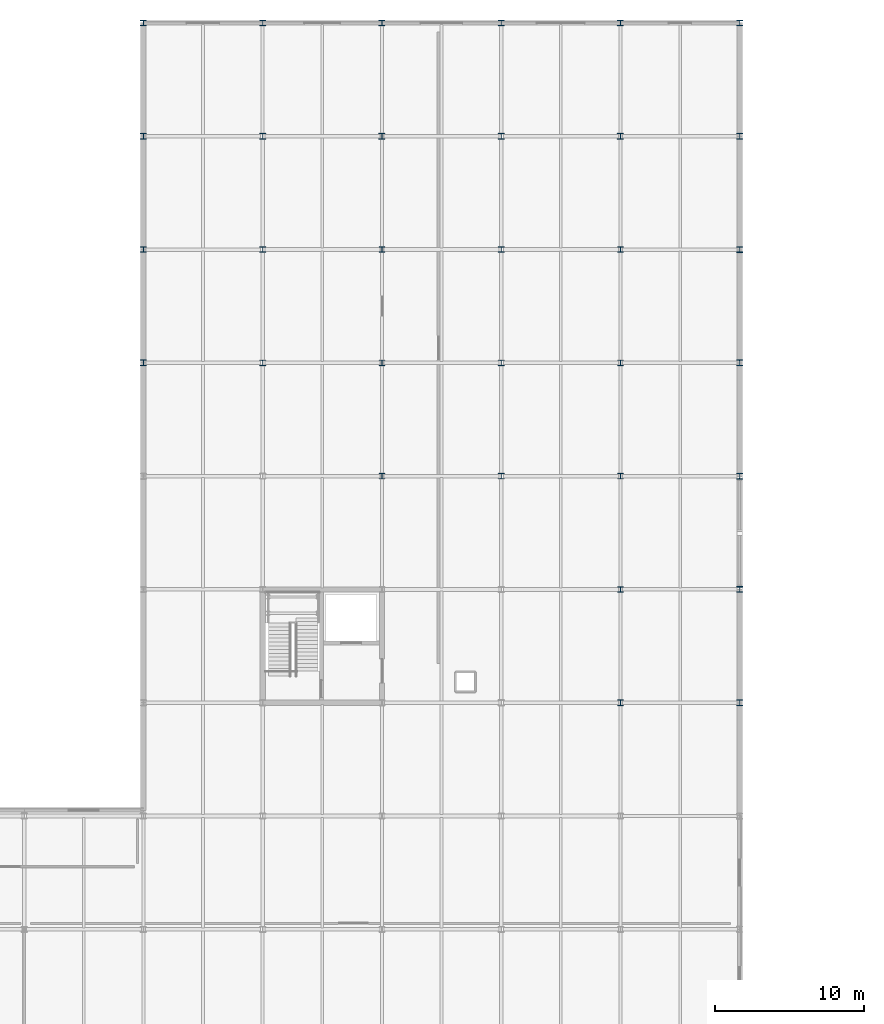
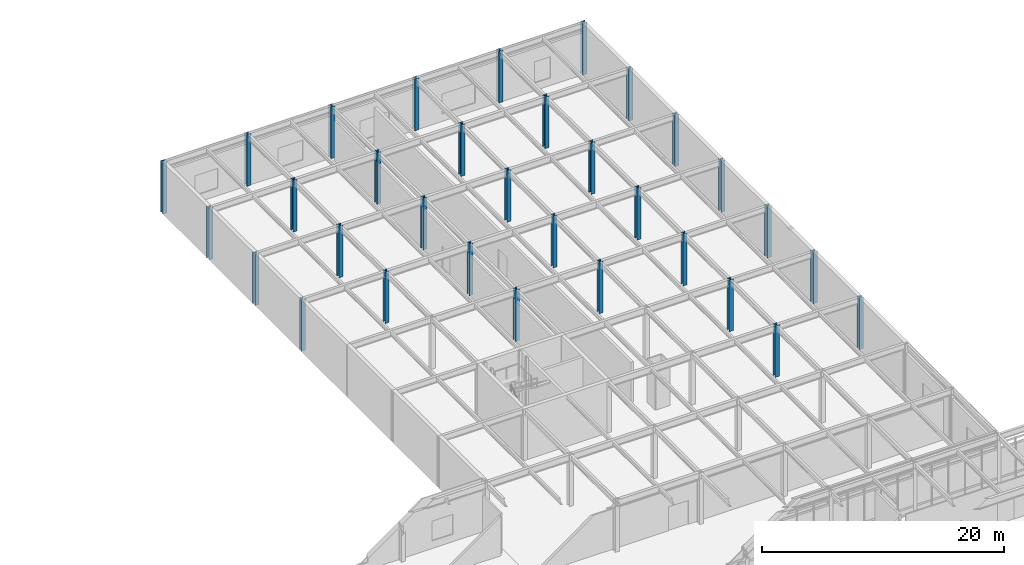
# One storey, part 16 of 94: 32 columns.
"""IFC4 building model written with IfcOpenShell, lengths in metres."""

from ifc_helpers import new_model, si_unit, direction, frame, origin, origin_2d, place, context, subcontext, project, spatial, i_section, extrude, material, material_profile, profile_set, type_object, element, save


model = new_model("IFC4")

# Units and contexts
model_context = context("Model", 3, precision=1e-05, world=origin(), true_north=direction((0.0, 1.0)))
body_context = subcontext(model_context, "Body", "Model", "MODEL_VIEW")
ifc_project = project(units=[si_unit("LENGTHUNIT", "METRE"), si_unit("AREAUNIT", "SQUARE_METRE"), si_unit("VOLUMEUNIT", "CUBIC_METRE"), si_unit("PLANEANGLEUNIT", "RADIAN"), si_unit("MASSUNIT", "GRAM", prefix="KILO")], contexts=[model_context])

# Site, building, storey
site_placement = place(None, origin())
site = spatial("IfcSite", under=ifc_project, at=site_placement, CompositionType="ELEMENT")
building_placement = place(site_placement, origin())
building = spatial("IfcBuilding", under=site, at=building_placement, Name="Zulena Civic Courthouse", CompositionType="ELEMENT")
storey_placement = place(building_placement, frame((0.0, 0.0, 5.39990234375)))
storey = spatial("IfcBuildingStorey", under=building, at=storey_placement, Name="L01", CompositionType="ELEMENT", Elevation=5.39990234375)

# Columns
ifc_material = material(Name="Steel ASTM A992 Grade 50", Category="steel")
ifc_material_profile_1 = material_profile(ifc_material, i_section(OverallWidth=0.39404296875, OverallDepth=0.3759765625, WebThickness=0.017333984375, FlangeThickness=0.027587890625, FilletRadius=0.01513671875, at=origin_2d()), Name="W14X145")
ifc_profile_set_1 = profile_set([ifc_material_profile_1], Name="Steel ASTM A992 Grade 50")
column_type_1 = type_object("IfcColumnType", Name="Col_W14X145", PredefinedType="COLUMN", material=ifc_profile_set_1)
for number, where, z_axis, x_axis, name in (
    (1, (76.0, 91.199951171875, 0.0), (0.0, 0.0, 1.0), (1.0, 0.0, 0.0), "col:V5:L01:76.0:91.2"),
    (2, (76.0, 98.800048828125, 0.0), (0.0, 0.0, 1.0), (1.0, 0.0, 0.0), "col:V5:L01:76.0:98.8"),
    (3, (84.0, 83.60009765625, 0.0), (0.0, 0.0, 1.0), (1.0, 0.0, 0.0), "col:V5:L01:84.0:83.6"),
    (4, (84.0, 91.199951171875, 0.0), (0.0, 0.0, 1.0), (1.0, 0.0, 0.0), "col:V5:L01:84.0:91.2"),
    (5, (84.0, 98.800048828125, 0.0), (0.0, 0.0, 1.0), (1.0, 0.0, 0.0), "col:V5:L01:84.0:98.8"),
    (6, (92.0, 83.60009765625, 0.0), (0.0, 0.0, 1.0), (1.0, 0.0, 0.0), "col:V5:L01:92.0:83.6"),
    (7, (92.0, 91.199951171875, 0.0), (0.0, 0.0, 1.0), (1.0, 0.0, 0.0), "col:V5:L01:92.0:91.2"),
    (8, (92.0, 98.800048828125, 0.0), (0.0, 0.0, 1.0), (1.0, 0.0, 0.0), "col:V5:L01:92.0:98.8"),
    (9, (100.0, 68.39990234375, 0.0), (0.0, 0.0, 1.0), (1.0, 0.0, 0.0), "col:V5:L01:100.0:68.4"),
    (10, (100.0, 76.0, 0.0), (0.0, 0.0, 1.0), (1.0, 0.0, 0.0), "col:V5:L01:100.0:76.0"),
    (11, (100.0, 83.60009765625, 0.0), (0.0, 0.0, 1.0), (1.0, 0.0, 0.0), "col:V5:L01:100.0:83.6"),
    (12, (100.0, 91.199951171875, 0.0), (0.0, 0.0, 1.0), (1.0, 0.0, 0.0), "col:V5:L01:100.0:91.2"),
    (13, (100.0, 98.800048828125, 0.0), (0.0, 0.0, 1.0), (1.0, 0.0, 0.0), "col:V5:L01:100.0:98.8"),
):
    element("IfcColumn", number, at=place(storey_placement, frame(where, z_axis=z_axis, x_axis=x_axis)), inside=storey, type_object=column_type_1, Name=name, PredefinedType="COLUMN", context=body_context, shape_type="SweptSolid", body=[
        extrude(i_section(OverallWidth=0.39404296875, OverallDepth=0.3759765625, WebThickness=0.017333984375, FlangeThickness=0.027587890625, FilletRadius=0.01513671875, at=origin_2d()), origin(), (0.0, 0.0, 1.0), 5.18505859375),
    ])
ifc_material_profile_2 = material_profile(ifc_material, i_section(OverallWidth=0.39892578125, OverallDepth=0.386962890625, WebThickness=0.02099609375, FlangeThickness=0.033203125, FilletRadius=0.01513671875, at=origin_2d()), Name="W14X176")
ifc_profile_set_2 = profile_set([ifc_material_profile_2], Name="Steel ASTM A992 Grade 50")
column_type_2 = type_object("IfcColumnType", Name="Col_W14X176", PredefinedType="COLUMN", material=ifc_profile_set_2)
for number, where, z_axis, x_axis, name in (
    (14, (68.0, 91.199951171875, 0.0), (0.0, 0.0, 1.0), (1.0, 0.0, 0.0), "col:V5:L01:68.0:91.2"),
    (15, (68.0, 98.800048828125, 0.0), (0.0, 0.0, 1.0), (1.0, 0.0, 0.0), "col:V5:L01:68.0:98.8"),
    (16, (68.0, 106.39990234375, 0.0), (0.0, 0.0, 1.0), (1.0, 0.0, 0.0), "col:V5:L01:68.0:106.4"),
    (17, (68.0, 114.0, 0.0), (0.0, 0.0, 1.0), (1.0, 0.0, 0.0), "col:V5:L01:68.0:114.0"),
    (18, (76.0, 106.39990234375, 0.0), (0.0, 0.0, 1.0), (1.0, 0.0, 0.0), "col:V5:L01:76.0:106.4"),
    (19, (76.0, 114.0, 0.0), (0.0, 0.0, 1.0), (1.0, 0.0, 0.0), "col:V5:L01:76.0:114.0"),
):
    element("IfcColumn", number, at=place(storey_placement, frame(where, z_axis=z_axis, x_axis=x_axis)), inside=storey, type_object=column_type_2, Name=name, PredefinedType="COLUMN", context=body_context, shape_type="SweptSolid", body=[
        extrude(i_section(OverallWidth=0.39892578125, OverallDepth=0.386962890625, WebThickness=0.02099609375, FlangeThickness=0.033203125, FilletRadius=0.01513671875, at=origin_2d()), origin(), (0.0, 0.0, 1.0), 5.18505859375),
    ])
ifc_material_profile_3 = material_profile(ifc_material, i_section(OverallWidth=0.40087890625, OverallDepth=0.39892578125, WebThickness=0.02490234375, FlangeThickness=0.03955078125, FilletRadius=0.01513671875, at=origin_2d()), Name="W14X211")
ifc_profile_set_3 = profile_set([ifc_material_profile_3], Name="Steel ASTM A992 Grade 50")
column_type_3 = type_object("IfcColumnType", Name="Col_W14X211", PredefinedType="COLUMN", material=ifc_profile_set_3)
for number, where, z_axis, x_axis, name in (
    (20, (84.0, 106.39990234375, 0.0), (0.0, 0.0, 1.0), (1.0, 0.0, 0.0), "col:V5:L01:84.0:106.4"),
    (21, (84.0, 114.0, 0.0), (0.0, 0.0, 1.0), (1.0, 0.0, 0.0), "col:V5:L01:84.0:114.0"),
    (22, (92.0, 106.39990234375, 0.0), (0.0, 0.0, 1.0), (1.0, 0.0, 0.0), "col:V5:L01:92.0:106.4"),
    (23, (92.0, 114.0, 0.0), (0.0, 0.0, 1.0), (1.0, 0.0, 0.0), "col:V5:L01:92.0:114.0"),
    (24, (100.0, 106.39990234375, 0.0), (0.0, 0.0, 1.0), (1.0, 0.0, 0.0), "col:V5:L01:100.0:106.4"),
    (25, (100.0, 114.0, 0.0), (0.0, 0.0, 1.0), (1.0, 0.0, 0.0), "col:V5:L01:100.0:114.0"),
    (26, (108.0, 68.39990234375, 0.0), (0.0, 0.0, 1.0), (1.0, 0.0, 0.0), "col:V5:L01:108.0:68.4"),
    (27, (108.0, 76.0, 0.0), (0.0, 0.0, 1.0), (1.0, 0.0, 0.0), "col:V5:L01:108.0:76.0"),
    (28, (108.0, 83.60009765625, 0.0), (0.0, 0.0, 1.0), (1.0, 0.0, 0.0), "col:V5:L01:108.0:83.6"),
    (29, (108.0, 91.199951171875, 0.0), (0.0, 0.0, 1.0), (1.0, 0.0, 0.0), "col:V5:L01:108.0:91.2"),
    (30, (108.0, 98.800048828125, 0.0), (0.0, 0.0, 1.0), (1.0, 0.0, 0.0), "col:V5:L01:108.0:98.8"),
    (31, (108.0, 106.39990234375, 0.0), (0.0, 0.0, 1.0), (1.0, 0.0, 0.0), "col:V5:L01:108.0:106.4"),
    (32, (108.0, 114.0, 0.0), (0.0, 0.0, 1.0), (1.0, 0.0, 0.0), "col:V5:L01:108.0:114.0"),
):
    element("IfcColumn", number, at=place(storey_placement, frame(where, z_axis=z_axis, x_axis=x_axis)), inside=storey, type_object=column_type_3, Name=name, PredefinedType="COLUMN", context=body_context, shape_type="SweptSolid", body=[
        extrude(i_section(OverallWidth=0.40087890625, OverallDepth=0.39892578125, WebThickness=0.02490234375, FlangeThickness=0.03955078125, FilletRadius=0.01513671875, at=origin_2d()), origin(), (0.0, 0.0, 1.0), 5.18505859375),
    ])

save(model, "model.ifc")
